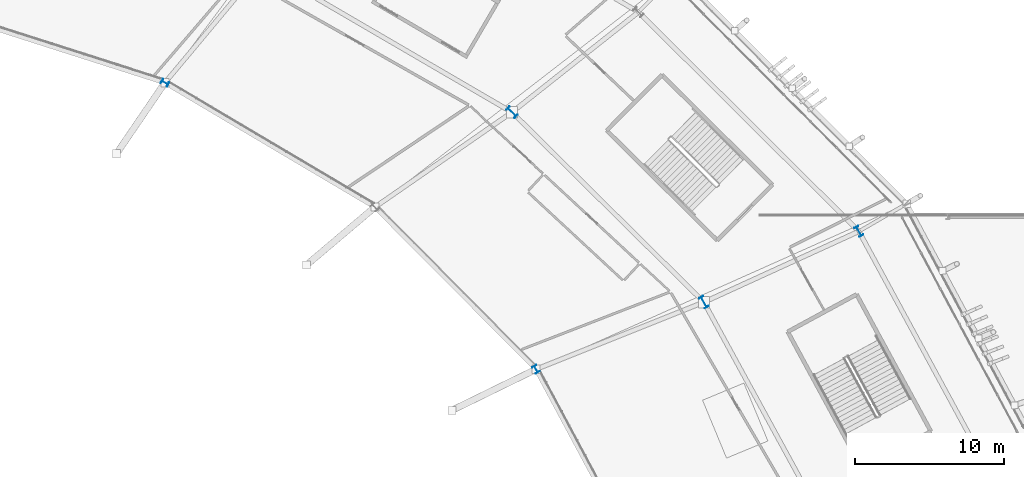
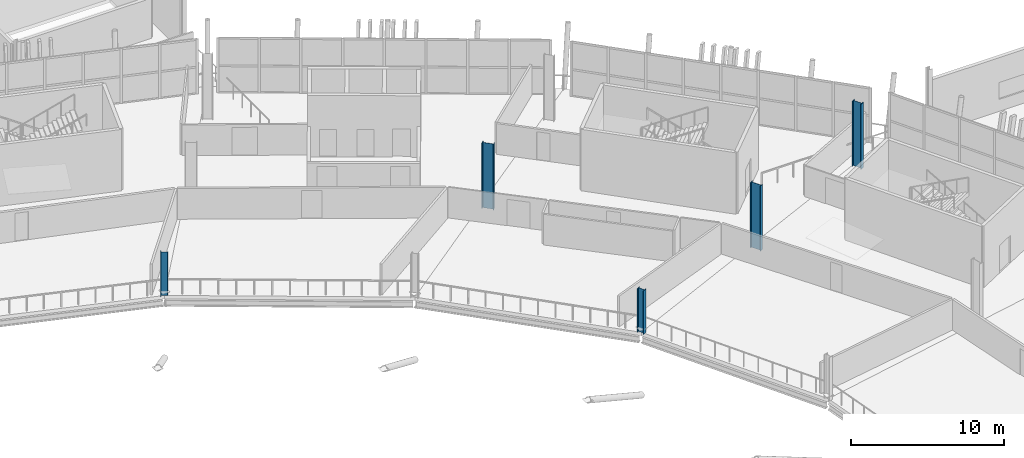
# One storey, part 13 of 168: 5 columns.
"""IFC4 building model written with IfcOpenShell, lengths in metres."""

from ifc_helpers import new_model, si_unit, direction, frame, origin, origin_2d, place, context, subcontext, project, spatial, i_section, extrude, material, material_profile, profile_set, type_object, element, save


model = new_model("IFC4")

# Units and contexts
model_context = context("Model", 3, precision=1e-05, world=origin(), true_north=direction((0.0, 1.0)))
body_context = subcontext(model_context, "Body", "Model", "MODEL_VIEW")
ifc_project = project(units=[si_unit("LENGTHUNIT", "METRE"), si_unit("AREAUNIT", "SQUARE_METRE"), si_unit("VOLUMEUNIT", "CUBIC_METRE"), si_unit("PLANEANGLEUNIT", "RADIAN"), si_unit("MASSUNIT", "GRAM", prefix="KILO")], contexts=[model_context])

# Site, building, storey
site_placement = place(None, origin())
site = spatial("IfcSite", under=ifc_project, at=site_placement, CompositionType="ELEMENT")
building_placement = place(site_placement, origin())
building = spatial("IfcBuilding", under=site, at=building_placement, Name="Zlatoyarsky Gate Stadium", CompositionType="ELEMENT")
storey_placement = place(building_placement, frame((0.0, 0.0, 15.60009765625)))
storey = spatial("IfcBuildingStorey", under=building, at=storey_placement, Name="L03", CompositionType="ELEMENT", Elevation=15.60009765625)

# Columns
ifc_material = material(Name="Steel S355", Category="steel")
ifc_material_profile_1 = material_profile(ifc_material, i_section(OverallWidth=0.300048828125, OverallDepth=0.5, WebThickness=0.014404296875, FlangeThickness=0.028076171875, FilletRadius=0.027099609375, at=origin_2d()), Name="HEB 500")
ifc_profile_set_1 = profile_set([ifc_material_profile_1], Name="Steel S355")
column_type_1 = type_object("IfcColumnType", Name="STEEL COLUMN HEB 500", PredefinedType="COLUMN", material=ifc_profile_set_1)
for number, where, z_axis, x_axis, name in (
    (1, (169.8896484375, 106.25, 0.0), (0.0, 0.0, 1.0), (0.866025403784, 0.5, 0.0), "Column ST-C500 RA-02 on L03"),
    (2, (145.0, 125.46630859375, 0.0), (0.0, 0.0, 1.0), (0.5, 0.866025403784, 0.0), "Column ST-C500 RA-04 on L03"),
):
    element("IfcColumn", number, at=place(storey_placement, frame(where, z_axis=z_axis, x_axis=x_axis)), inside=storey, type_object=column_type_1, Name=name, PredefinedType="COLUMN", context=body_context, shape_type="SweptSolid", body=[
        extrude(i_section(OverallWidth=0.300048828125, OverallDepth=0.5, WebThickness=0.014404296875, FlangeThickness=0.028076171875, FilletRadius=0.027099609375, at=origin_2d()), origin(), (0.0, 0.0, 1.0), 3.47998046875),
    ])
ifc_material_profile_2 = material_profile(ifc_material, i_section(OverallWidth=0.300048828125, OverallDepth=0.699951171875, WebThickness=0.01708984375, FlangeThickness=0.031982421875, FilletRadius=0.027099609375, at=origin_2d()), Name="HEB 700")
ifc_profile_set_2 = profile_set([ifc_material_profile_2], Name="Steel S355")
column_type_2 = type_object("IfcColumnType", Name="STEEL COLUMN HEB 700", PredefinedType="COLUMN", material=ifc_profile_set_2)
column_placement = place(storey_placement, frame((191.540283203125, 115.5, 0.0), z_axis=(0.0, 0.0, 1.0), x_axis=(0.866025403784, 0.5, 0.0)))
element("IfcColumn", 3, at=column_placement, inside=storey, type_object=column_type_2, Name="Column ST-C700 RC-02 on L03", PredefinedType="COLUMN", context=body_context, shape_type="SweptSolid", body=[
    extrude(i_section(OverallWidth=0.300048828125, OverallDepth=0.699951171875, WebThickness=0.01708984375, FlangeThickness=0.031982421875, FilletRadius=0.027099609375, at=origin_2d()), origin(), (0.0, 0.0, 1.0), 5.199951171875),
])
ifc_material_profile_3 = material_profile(ifc_material, i_section(OverallWidth=0.300048828125, OverallDepth=0.800048828125, WebThickness=0.017578125, FlangeThickness=0.032958984375, FilletRadius=0.030029296875, at=origin_2d()), Name="HEB 800")
ifc_profile_set_3 = profile_set([ifc_material_profile_3], Name="Steel S355")
column_type_3 = type_object("IfcColumnType", Name="STEEL COLUMN HEB 800", PredefinedType="COLUMN", material=ifc_profile_set_3)
for number, where, z_axis, x_axis, name in (
    (4, (181.148193359375, 110.75, 0.0), (0.0, 0.0, 1.0), (0.866025403784, 0.5, 0.0), "Column ST-C800 RB-02 on L03"),
    (5, (168.275634765625, 123.487060546875, 0.0), (0.0, 0.0, 1.0), (0.707106781187, 0.707106781187, 0.0), "Column ST-C800 RB-03 on L03"),
):
    element("IfcColumn", number, at=place(storey_placement, frame(where, z_axis=z_axis, x_axis=x_axis)), inside=storey, type_object=column_type_3, Name=name, PredefinedType="COLUMN", context=body_context, shape_type="SweptSolid", body=[
        extrude(i_section(OverallWidth=0.300048828125, OverallDepth=0.800048828125, WebThickness=0.017578125, FlangeThickness=0.032958984375, FilletRadius=0.030029296875, at=origin_2d()), origin(), (0.0, 0.0, 1.0), 5.199951171875),
    ])

save(model, "model.ifc")
